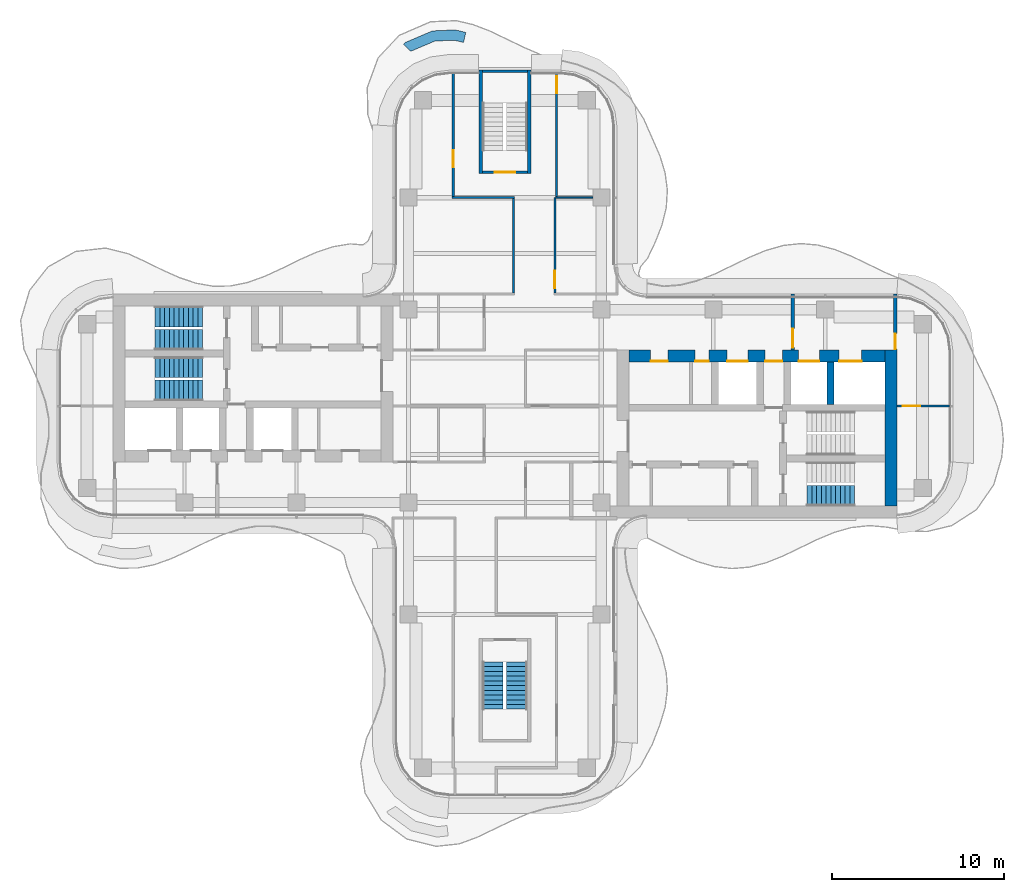
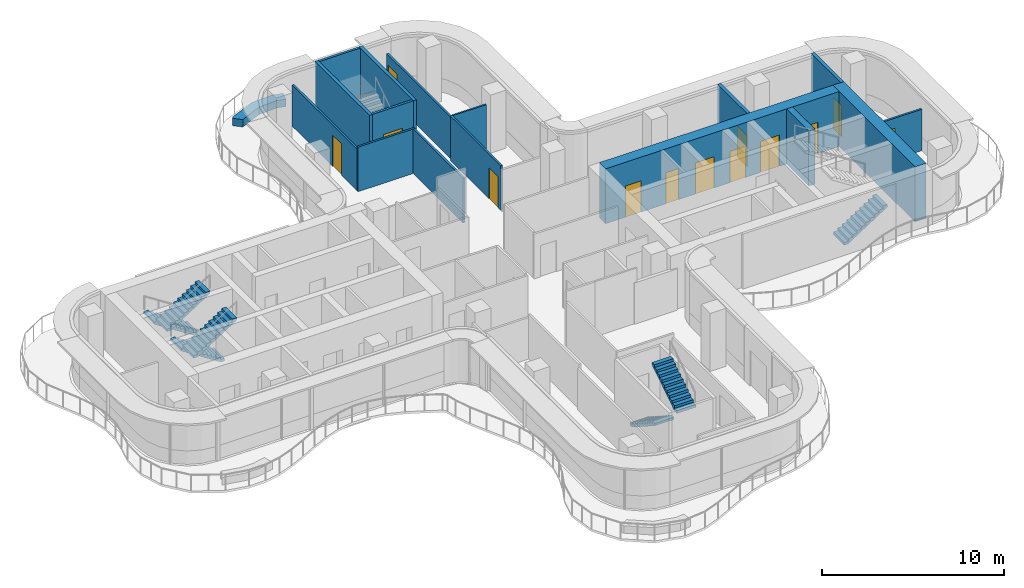
# One storey, part 13 of 16: 17 walls, 13 doors, 7 stair flights, 13 openings, 4 elements without a shape of their own.
"""IFC4 building model written with IfcOpenShell, lengths in metres."""

from ifc_helpers import new_model, si_unit, direction, frame, frame_2d, origin, place, context, subcontext, project, spatial, polyline, rectangle, outline, extrude, source, transform, mapped, material, layer, layer_set, type_object, element, fill, aggregate, save


model = new_model("IFC4")

# Units and contexts
model_context = context("Model", 3, precision=1e-05, world=origin(), true_north=direction((0.0, 1.0)))
body_context = subcontext(model_context, "Body", "Model", "MODEL_VIEW")
ifc_project = project(units=[si_unit("LENGTHUNIT", "METRE"), si_unit("AREAUNIT", "SQUARE_METRE"), si_unit("VOLUMEUNIT", "CUBIC_METRE"), si_unit("PLANEANGLEUNIT", "RADIAN"), si_unit("MASSUNIT", "GRAM", prefix="KILO")], contexts=[model_context])

# Site, building, storey
site_placement = place(None, origin())
site = spatial("IfcSite", under=ifc_project, at=site_placement, CompositionType="ELEMENT")
building_placement = place(site_placement, origin())
building = spatial("IfcBuilding", under=site, at=building_placement, Name="Trellis Farm Tower", CompositionType="ELEMENT")
storey_placement = place(building_placement, frame((0.0, 0.0, 322.300048828125)))
storey = spatial("IfcBuildingStorey", under=building, at=storey_placement, Name="L73", CompositionType="ELEMENT", Elevation=322.300048828125)

# Walls
ifc_material_1 = material(Name="Sandstone faced masonry planter", Category="masonry")
ifc_layer_1 = layer(ifc_material_1, 0.60009765625)
ifc_layer_set_1 = layer_set([ifc_layer_1], Name="PLANTER BED 600")
wall_type_1 = type_object("IfcWallType", Name="PLANTER BED 600", PredefinedType="USERDEFINED", material=ifc_layer_set_1)
placement = place(storey_placement, origin())
element("IfcWall", 1, at=placement, inside=storey, type_object=wall_type_1, Name="PLANTER bed", ObjectType="PLANTER", PredefinedType="USERDEFINED", context=body_context, shape_type="SweptSolid", body=[
    extrude(outline(polyline([(-4.206787109375, 21.7802734375), (-2.897705078125, 21.8388671875), (-2.26806640625, 21.692138671875), (-2.404296875, 21.10791015625), (-2.953369140625, 21.23583984375), (-4.071533203125, 21.185791015625), (-5.43359375, 20.606201171875), (-5.452880859375, 20.585693359375), (-5.889892578125, 20.996826171875), (-5.7841796875, 21.109130859375), (-4.206787109375, 21.7802734375)])), origin(), (0.0, 0.0, 1.0), 0.5),
])
ifc_material_2 = material(Name="Concrete C50/60", Category="concrete")
ifc_layer_2 = layer(ifc_material_2, 0.699951171875)
ifc_layer_set_2 = layer_set([ifc_layer_2], Name="CORE OUTER WALL 700 CONCRETE C50/60")
wall_type_2 = type_object("IfcWallType", Name="CORE OUTER WALL 700 CONCRETE C50/60", PredefinedType="SHEAR", material=ifc_layer_set_2)
shared_shape_1 = source(origin(), body_context, "Body", "SweptSolid", [
    extrude(rectangle(XDim=9.050048828125, YDim=0.699951171875, at=frame_2d((4.52490234375, 0.0))), origin(), (0.0, 0.0, 1.0), 3.699951171875),
])
wall_2_placement = place(storey_placement, frame((22.39990234375, -5.800048828125, 0.0), z_axis=(0.0, 0.0, 1.0), x_axis=(0.0, 1.0, 0.0)))
element("IfcWall", 2, at=wall_2_placement, inside=storey, type_object=wall_type_2, Name="Core wall", PredefinedType="SHEAR", context=body_context, shape_type="MappedRepresentation", body=[
    mapped(shared_shape_1, transform((0.0, 0.0, 0.0))),
])
ifc_layer_3 = layer(ifc_material_2, 0.39990234375)
ifc_layer_set_3 = layer_set([ifc_layer_3], Name="CORE INNER WALL 400 CONCRETE C50/60")
wall_type_3 = type_object("IfcWallType", Name="CORE INNER WALL 400 CONCRETE C50/60", PredefinedType="SHEAR", material=ifc_layer_set_3)
shared_shape_2 = source(origin(), body_context, "Body", "SweptSolid", [
    extrude(rectangle(XDim=2.449951171875, YDim=0.39990234375, at=frame_2d((1.22509765625, 0.0))), origin(), (0.0, 0.0, 1.0), 3.699951171875),
])
wall_3_placement = place(storey_placement, frame((18.89990234375, 0.10009765625, 0.0), z_axis=(0.0, 0.0, 1.0), x_axis=(0.0, 1.0, 0.0)))
element("IfcWall", 3, at=wall_3_placement, inside=storey, type_object=wall_type_3, Name="Core wall", PredefinedType="SHEAR", context=body_context, shape_type="MappedRepresentation", body=[
    mapped(shared_shape_2, transform((0.0, 0.0, 0.0))),
])

# Wall, opening, door
ifc_material_3 = material(Name="Masonry blockwork", Category="masonry")
ifc_layer_4 = layer(ifc_material_3, 0.199951171875)
ifc_layer_set_4 = layer_set([ifc_layer_4], Name="FIRE LOBBY PARTITION 200 BLOCKWORK")
wall_type_4 = type_object("IfcWallType", Name="FIRE LOBBY PARTITION 200 BLOCKWORK", PredefinedType="PARTITIONING", material=ifc_layer_set_4)
shared_shape_3 = source(origin(), body_context, "Body", "SweptSolid", [
    extrude(rectangle(XDim=3.25, YDim=0.199951171875, at=frame_2d((1.625, 0.0))), origin(), (0.0, 0.0, 1.0), 3.699951171875),
])
wall_4_placement = place(storey_placement, frame((16.699951171875, 3.25, 0.0), z_axis=(0.0, 0.0, 1.0), x_axis=(0.0, 1.0, 0.0)))
wall_4 = element("IfcWall", 4, at=wall_4_placement, inside=storey, type_object=wall_type_4, Name="Fire-fighting lobby partition", PredefinedType="PARTITIONING", context=body_context, shape_type="MappedRepresentation", body=[
    mapped(shared_shape_3, transform((0.0, 0.0, 0.0))),
])
shared_shape_4 = source(origin(), body_context, "Body", "SweptSolid", [
    extrude(rectangle(XDim=1.10009765625, YDim=2.10009765625, at=frame_2d((0.550048828125, 1.050048828125))), frame((0.0, 0.110107421875, 0.0), z_axis=(0.0, -1.0, 0.0), x_axis=(1.0, 0.0, 0.0)), (0.0, 0.0, 1.0), 0.22021484375),
])
opening_1_placement = place(wall_4_placement, frame((0.14990234375, 0.0, 0.0)))
opening_1 = element("IfcOpeningElement", 5, at=opening_1_placement, cuts=wall_4, Name="Opening DC7", PredefinedType="OPENING", context=body_context, shape_type="MappedRepresentation", body=[
    mapped(shared_shape_4, transform((0.0, 0.0, 0.0))),
])
ifc_material_4 = material(Name="Steel", Category="steel")
door_type_1 = type_object("IfcDoorType", Name="CORE FIRE DOOR 1100 X 2100", OperationType="NOTDEFINED", PredefinedType="DOOR", material=ifc_material_4)
shared_shape_5 = source(origin(), body_context, "Body", "SweptSolid", [
    extrude(rectangle(XDim=1.10009765625, YDim=2.10009765625, at=frame_2d((0.550048828125, 1.050048828125))), frame((0.0, 0.02490234375, 0.0), z_axis=(0.0, -1.0, 0.0), x_axis=(1.0, 0.0, 0.0)), (0.0, 0.0, 1.0), 0.050048828125),
])
door_1_placement = place(opening_1_placement, origin())
door_1 = element("IfcDoor", 6, at=door_1_placement, inside=storey, type_object=door_type_1, Name="Core door", OperationType="SINGLE_SWING_RIGHT", OverallHeight=2.10009765625, OverallWidth=1.10009765625, PredefinedType="DOOR", context=body_context, shape_type="MappedRepresentation", body=[
    mapped(shared_shape_5, transform((0.0, 0.0, 0.0))),
])
fill(opening_1, door_1)

wall_5_placement = place(storey_placement, frame((22.64990234375, 3.25, 0.0), z_axis=(0.0, 0.0, 1.0), x_axis=(0.0, 1.0, 0.0)))
wall_5 = element("IfcWall", 7, at=wall_5_placement, inside=storey, type_object=wall_type_4, Name="Fire-fighting lobby partition", PredefinedType="PARTITIONING", context=body_context, shape_type="MappedRepresentation", body=[
    mapped(shared_shape_3, transform((0.0, 0.0, 0.0))),
])
shared_shape_6 = source(origin(), body_context, "Body", "SweptSolid", [
    extrude(rectangle(XDim=0.89990234375, YDim=2.10009765625, at=frame_2d((0.449951171875, 1.050048828125))), frame((0.0, 0.110107421875, 0.0), z_axis=(0.0, -1.0, 0.0), x_axis=(1.0, 0.0, 0.0)), (0.0, 0.0, 1.0), 0.22021484375),
])
opening_2_placement = place(wall_5_placement, frame((0.050048828125, 0.0, 0.0)))
opening_2 = element("IfcOpeningElement", 8, at=opening_2_placement, cuts=wall_5, Name="Opening DC8", PredefinedType="OPENING", context=body_context, shape_type="MappedRepresentation", body=[
    mapped(shared_shape_6, transform((0.0, 0.0, 0.0))),
])
door_type_2 = type_object("IfcDoorType", Name="CORE FIRE DOOR 900 X 2100", OperationType="NOTDEFINED", PredefinedType="DOOR", material=ifc_material_4)
shared_shape_7 = source(origin(), body_context, "Body", "SweptSolid", [
    extrude(rectangle(XDim=0.89990234375, YDim=2.10009765625, at=frame_2d((0.449951171875, 1.050048828125))), frame((0.0, 0.02490234375, 0.0), z_axis=(0.0, -1.0, 0.0), x_axis=(1.0, 0.0, 0.0)), (0.0, 0.0, 1.0), 0.050048828125),
])
door_2_placement = place(opening_2_placement, origin())
door_2 = element("IfcDoor", 9, at=door_2_placement, inside=storey, type_object=door_type_2, Name="Core door", OperationType="SINGLE_SWING_RIGHT", OverallHeight=2.10009765625, OverallWidth=0.89990234375, PredefinedType="DOOR", context=body_context, shape_type="MappedRepresentation", body=[
    mapped(shared_shape_7, transform((0.0, 0.0, 0.0))),
])
fill(opening_2, door_2)

# Wall, openings, doors
shared_shape_8 = source(origin(), body_context, "Body", "SweptSolid", [
    extrude(rectangle(XDim=14.85009765625, YDim=0.699951171875, at=frame_2d((7.425048828125, 0.0))), origin(), (0.0, 0.0, 1.0), 3.699951171875),
])
wall_6_placement = place(storey_placement, frame((7.199951171875, 2.89990234375, 0.0), z_axis=(0.0, 0.0, 1.0), x_axis=(1.0, 0.0, 0.0)))
wall_6 = element("IfcWall", 10, at=wall_6_placement, inside=storey, type_object=wall_type_2, Name="Core wall", PredefinedType="SHEAR", context=body_context, shape_type="MappedRepresentation", body=[
    mapped(shared_shape_8, transform((0.0, 0.0, 0.0))),
])
shared_shape_9 = source(origin(), body_context, "Body", "SweptSolid", [
    extrude(rectangle(XDim=1.199951171875, YDim=2.10009765625, at=frame_2d((0.60009765625, 1.050048828125))), frame((0.0, 0.360107421875, 0.0), z_axis=(0.0, -1.0, 0.0), x_axis=(1.0, 0.0, 0.0)), (0.0, 0.0, 1.0), 0.72021484375),
])
opening_3_placement = place(wall_6_placement, frame((5.699951171875, 0.0, 0.0)))
opening_3 = element("IfcOpeningElement", 11, at=opening_3_placement, cuts=wall_6, Name="Opening LD6", PredefinedType="OPENING", context=body_context, shape_type="MappedRepresentation", body=[
    mapped(shared_shape_9, transform((0.0, 0.0, 0.0))),
])
shared_shape_10 = source(origin(), body_context, "Body", "SweptSolid", [
    extrude(rectangle(XDim=1.300048828125, YDim=2.10009765625, at=frame_2d((0.64990234375, 1.050048828125))), frame((0.0, 0.360107421875, 0.0), z_axis=(0.0, -1.0, 0.0), x_axis=(1.0, 0.0, 0.0)), (0.0, 0.0, 1.0), 0.72021484375),
])
opening_4_placement = place(wall_6_placement, frame((12.199951171875, 0.0, 0.0)))
opening_4 = element("IfcOpeningElement", 12, at=opening_4_placement, cuts=wall_6, Name="Opening LD7", PredefinedType="OPENING", context=body_context, shape_type="MappedRepresentation", body=[
    mapped(shared_shape_10, transform((0.0, 0.0, 0.0))),
])
opening_5_placement = place(wall_6_placement, frame((9.85009765625, 0.0, 0.0)))
opening_5 = element("IfcOpeningElement", 13, at=opening_5_placement, cuts=wall_6, Name="Opening LD8", PredefinedType="OPENING", context=body_context, shape_type="MappedRepresentation", body=[
    mapped(shared_shape_9, transform((0.0, 0.0, 0.0))),
])
shared_shape_11 = source(origin(), body_context, "Body", "SweptSolid", [
    extrude(rectangle(XDim=1.0, YDim=2.10009765625, at=frame_2d((0.5, 1.050048828125))), frame((0.0, 0.360107421875, 0.0), z_axis=(0.0, -1.0, 0.0), x_axis=(1.0, 0.0, 0.0)), (0.0, 0.0, 1.0), 0.72021484375),
])
opening_6_placement = place(wall_6_placement, frame((7.89990234375, 0.0, 0.0)))
opening_6 = element("IfcOpeningElement", 14, at=opening_6_placement, cuts=wall_6, Name="Opening DC6", PredefinedType="OPENING", context=body_context, shape_type="MappedRepresentation", body=[
    mapped(shared_shape_11, transform((0.0, 0.0, 0.0))),
])
opening_7_placement = place(wall_6_placement, frame((1.262451171875, 0.0, 0.0)))
opening_7 = element("IfcOpeningElement", 15, at=opening_7_placement, cuts=wall_6, Name="Opening DC14", PredefinedType="OPENING", context=body_context, shape_type="MappedRepresentation", body=[
    mapped(shared_shape_11, transform((0.0, 0.0, 0.0))),
])
shared_shape_12 = source(origin(), body_context, "Body", "SweptSolid", [
    extrude(rectangle(XDim=0.800048828125, YDim=2.10009765625, at=frame_2d((0.39990234375, 1.050048828125))), frame((0.0, 0.360107421875, 0.0), z_axis=(0.0, -1.0, 0.0), x_axis=(1.0, 0.0, 0.0)), (0.0, 0.0, 1.0), 0.72021484375),
])
opening_8_placement = place(wall_6_placement, frame((3.83740234375, 0.0, 0.0)))
opening_8 = element("IfcOpeningElement", 16, at=opening_8_placement, cuts=wall_6, Name="Opening DC15", PredefinedType="OPENING", context=body_context, shape_type="MappedRepresentation", body=[
    mapped(shared_shape_12, transform((0.0, 0.0, 0.0))),
])
door_type_3 = type_object("IfcDoorType", Name="CORE FIRE DOOR 1000 X 2100", OperationType="NOTDEFINED", PredefinedType="DOOR", material=ifc_material_4)
shared_shape_13 = source(origin(), body_context, "Body", "SweptSolid", [
    extrude(rectangle(XDim=1.0, YDim=2.10009765625, at=frame_2d((0.5, 1.050048828125))), frame((0.0, -0.27490234375, 0.0), z_axis=(0.0, -1.0, 0.0), x_axis=(1.0, 0.0, 0.0)), (0.0, 0.0, 1.0), 0.050048828125),
])
door_3_placement = place(opening_6_placement, origin())
door_3 = element("IfcDoor", 17, at=door_3_placement, inside=storey, type_object=door_type_3, Name="Core door", OperationType="SINGLE_SWING_LEFT", OverallHeight=2.10009765625, OverallWidth=1.0, PredefinedType="DOOR", context=body_context, shape_type="MappedRepresentation", body=[
    mapped(shared_shape_13, transform((0.0, 0.0, 0.0))),
])
fill(opening_6, door_3)
door_4_placement = place(opening_7_placement, origin())
door_4 = element("IfcDoor", 18, at=door_4_placement, inside=storey, type_object=door_type_3, Name="Core door", OperationType="SINGLE_SWING_RIGHT", OverallHeight=2.10009765625, OverallWidth=1.0, PredefinedType="DOOR", context=body_context, shape_type="MappedRepresentation", body=[
    mapped(shared_shape_13, transform((0.0, 0.0, 0.0))),
])
fill(opening_7, door_4)
ifc_material_5 = material(Name="Stainless steel", Category="steel")
door_type_4 = type_object("IfcDoorType", Name="LIFT LANDING DOOR 1300 X 2100", OperationType="DOUBLE_DOOR_SLIDING", PredefinedType="DOOR", material=ifc_material_5)
shared_shape_14 = source(origin(), body_context, "Body", "SweptSolid", [
    extrude(rectangle(XDim=1.300048828125, YDim=2.10009765625, at=frame_2d((0.64990234375, 1.050048828125))), frame((0.0, -0.27490234375, 0.0), z_axis=(0.0, -1.0, 0.0), x_axis=(1.0, 0.0, 0.0)), (0.0, 0.0, 1.0), 0.050048828125),
])
door_5_placement = place(opening_4_placement, origin())
door_5 = element("IfcDoor", 19, at=door_5_placement, inside=storey, type_object=door_type_4, Name="Lift landing door", OperationType="DOUBLE_DOOR_SLIDING", OverallHeight=2.10009765625, OverallWidth=1.300048828125, PredefinedType="DOOR", context=body_context, shape_type="MappedRepresentation", body=[
    mapped(shared_shape_14, transform((0.0, 0.0, 0.0))),
])
fill(opening_4, door_5)
door_type_5 = type_object("IfcDoorType", Name="LIFT LANDING DOOR 1200 X 2100", OperationType="DOUBLE_DOOR_SLIDING", PredefinedType="DOOR", material=ifc_material_5)
shared_shape_15 = source(origin(), body_context, "Body", "SweptSolid", [
    extrude(rectangle(XDim=1.199951171875, YDim=2.10009765625, at=frame_2d((0.60009765625, 1.050048828125))), frame((0.0, -0.27490234375, 0.0), z_axis=(0.0, -1.0, 0.0), x_axis=(1.0, 0.0, 0.0)), (0.0, 0.0, 1.0), 0.050048828125),
])
door_6_placement = place(opening_3_placement, origin())
door_6 = element("IfcDoor", 20, at=door_6_placement, inside=storey, type_object=door_type_5, Name="Lift landing door", OperationType="DOUBLE_DOOR_SLIDING", OverallHeight=2.10009765625, OverallWidth=1.199951171875, PredefinedType="DOOR", context=body_context, shape_type="MappedRepresentation", body=[
    mapped(shared_shape_15, transform((0.0, 0.0, 0.0))),
])
fill(opening_3, door_6)
door_7_placement = place(opening_5_placement, origin())
door_7 = element("IfcDoor", 21, at=door_7_placement, inside=storey, type_object=door_type_5, Name="Lift landing door", OperationType="DOUBLE_DOOR_SLIDING", OverallHeight=2.10009765625, OverallWidth=1.199951171875, PredefinedType="DOOR", context=body_context, shape_type="MappedRepresentation", body=[
    mapped(shared_shape_15, transform((0.0, 0.0, 0.0))),
])
fill(opening_5, door_7)
door_type_6 = type_object("IfcDoorType", Name="CORE FIRE DOOR 800 X 2100", OperationType="NOTDEFINED", PredefinedType="DOOR", material=ifc_material_4)
shared_shape_16 = source(origin(), body_context, "Body", "SweptSolid", [
    extrude(rectangle(XDim=0.800048828125, YDim=2.10009765625, at=frame_2d((0.39990234375, 1.050048828125))), frame((0.0, -0.27490234375, 0.0), z_axis=(0.0, -1.0, 0.0), x_axis=(1.0, 0.0, 0.0)), (0.0, 0.0, 1.0), 0.050048828125),
])
door_8_placement = place(opening_8_placement, origin())
door_8 = element("IfcDoor", 22, at=door_8_placement, inside=storey, type_object=door_type_6, Name="Core door", OperationType="SINGLE_SWING_LEFT", OverallHeight=2.10009765625, OverallWidth=0.800048828125, PredefinedType="DOOR", context=body_context, shape_type="MappedRepresentation", body=[
    mapped(shared_shape_16, transform((0.0, 0.0, 0.0))),
])
fill(opening_8, door_8)

# Walls
ifc_layer_5 = layer(ifc_material_2, 0.199951171875)
ifc_layer_set_5 = layer_set([ifc_layer_5], Name="CORE STAIR ENCLOSURE WALL 200 CONCRETE C50/60")
wall_type_5 = type_object("IfcWallType", Name="CORE STAIR ENCLOSURE WALL 200 CONCRETE C50/60", PredefinedType="SHEAR", material=ifc_layer_set_5)
shared_shape_17 = source(origin(), body_context, "Body", "SweptSolid", [
    extrude(rectangle(XDim=6.0, YDim=0.199951171875, at=frame_2d((3.0, 0.0))), origin(), (0.0, 0.0, 1.0), 3.699951171875),
])
for number, where, z_axis, x_axis, name in (
    (23, (-1.39990234375, 13.5, 0.0), (0.0, 0.0, 1.0), (0.0, 1.0, 0.0), "Stair enclosure wall"),
    (24, (1.39990234375, 13.5, 0.0), (0.0, 0.0, 1.0), (0.0, 1.0, 0.0), "Stair enclosure wall"),
):
    element("IfcWall", number, at=place(storey_placement, frame(where, z_axis=z_axis, x_axis=x_axis)), inside=storey, type_object=wall_type_5, Name=name, PredefinedType="SHEAR", context=body_context, shape_type="MappedRepresentation", body=[
        mapped(shared_shape_17, transform((0.0, 0.0, 0.0))),
    ])

# Wall, opening, door
ifc_layer_6 = layer(ifc_material_2, 0.14990234375)
ifc_layer_set_6 = layer_set([ifc_layer_6], Name="CORE STAIR ENCLOSURE WALL 150 CONCRETE C50/60")
wall_type_6 = type_object("IfcWallType", Name="CORE STAIR ENCLOSURE WALL 150 CONCRETE C50/60", PredefinedType="SHEAR", material=ifc_layer_set_6)
shared_shape_18 = source(origin(), body_context, "Body", "SweptSolid", [
    extrude(rectangle(XDim=2.60009765625, YDim=0.14990234375, at=frame_2d((1.300048828125, 0.0))), origin(), (0.0, 0.0, 1.0), 3.699951171875),
])
wall_7_placement = place(storey_placement, frame((-1.300048828125, 13.574951171875, 0.0), z_axis=(0.0, 0.0, 1.0), x_axis=(1.0, 0.0, 0.0)))
wall_7 = element("IfcWall", 25, at=wall_7_placement, inside=storey, type_object=wall_type_6, Name="Stair enclosure wall", PredefinedType="SHEAR", context=body_context, shape_type="MappedRepresentation", body=[
    mapped(shared_shape_18, transform((0.0, 0.0, 0.0))),
])
shared_shape_19 = source(origin(), body_context, "Body", "SweptSolid", [
    extrude(rectangle(XDim=1.199951171875, YDim=2.10009765625, at=frame_2d((0.60009765625, 1.050048828125))), frame((0.0, 0.0849609375, 0.0), z_axis=(0.0, -1.0, 0.0), x_axis=(1.0, 0.0, 0.0)), (0.0, 0.0, 1.0), 0.169921875),
])
opening_9_placement = place(wall_7_placement, frame((0.699951171875, 0.0, 0.0)))
opening_9 = element("IfcOpeningElement", 26, at=opening_9_placement, cuts=wall_7, Name="Opening DC173", PredefinedType="OPENING", context=body_context, shape_type="MappedRepresentation", body=[
    mapped(shared_shape_19, transform((0.0, 0.0, 0.0))),
])
door_type_7 = type_object("IfcDoorType", Name="CORE FIRE DOOR 1200 X 2100", OperationType="NOTDEFINED", PredefinedType="DOOR", material=ifc_material_4)
shared_shape_20 = source(origin(), body_context, "Body", "SweptSolid", [
    extrude(rectangle(XDim=1.199951171875, YDim=2.10009765625, at=frame_2d((0.60009765625, 1.050048828125))), frame((0.0, 0.02490234375, 0.0), z_axis=(0.0, -1.0, 0.0), x_axis=(1.0, 0.0, 0.0)), (0.0, 0.0, 1.0), 0.050048828125),
])
door_9_placement = place(opening_9_placement, origin())
door_9 = element("IfcDoor", 27, at=door_9_placement, inside=storey, type_object=door_type_7, Name="Core door", OperationType="SINGLE_SWING_LEFT", OverallHeight=2.10009765625, OverallWidth=1.199951171875, PredefinedType="DOOR", context=body_context, shape_type="MappedRepresentation", body=[
    mapped(shared_shape_20, transform((0.0, 0.0, 0.0))),
])
fill(opening_9, door_9)

# Walls
wall_8_placement = place(storey_placement, frame((-1.300048828125, 19.425048828125, 0.0), z_axis=(0.0, 0.0, 1.0), x_axis=(1.0, 0.0, 0.0)))
element("IfcWall", 28, at=wall_8_placement, inside=storey, type_object=wall_type_6, Name="Stair enclosure wall", PredefinedType="SHEAR", context=body_context, shape_type="MappedRepresentation", body=[
    mapped(shared_shape_18, transform((0.0, 0.0, 0.0))),
])
ifc_material_6 = material(Name="Plasterboard on steel studs, mineral wool", Category="steel")
ifc_layer_7 = layer(ifc_material_6, 0.125)
ifc_layer_set_7 = layer_set([ifc_layer_7], Name="PARTITION 125 STUD EI 60")
wall_type_7 = type_object("IfcWallType", Name="PARTITION 125 STUD EI 60", PredefinedType="PARTITIONING", material=ifc_layer_set_7)
shared_shape_21 = source(origin(), body_context, "Body", "SweptSolid", [
    extrude(rectangle(XDim=5.47509765625, YDim=0.125, at=frame_2d((2.737548828125, 0.0))), origin(), (0.0, 0.0, 1.0), 2.99658203125),
])
wall_9_placement = place(storey_placement, frame((0.5, 12.03759765625, 0.0), z_axis=(0.0, 0.0, 1.0), x_axis=(0.0, -1.0, 0.0)))
element("IfcWall", 29, at=wall_9_placement, inside=storey, type_object=wall_type_7, Name="Partition PW1", PredefinedType="PARTITIONING", context=body_context, shape_type="MappedRepresentation", body=[
    mapped(shared_shape_21, transform((0.0, 0.0, 0.0))),
])

# Wall, opening, door
shared_shape_22 = source(origin(), body_context, "Body", "SweptSolid", [
    extrude(rectangle(XDim=5.53759765625, YDim=0.125, at=frame_2d((2.768798828125, 0.0))), origin(), (0.0, 0.0, 1.0), 2.99658203125),
])
wall_10_placement = place(storey_placement, frame((2.89990234375, 12.10009765625, 0.0), z_axis=(0.0, 0.0, 1.0), x_axis=(0.0, -1.0, 0.0)))
wall_10 = element("IfcWall", 30, at=wall_10_placement, inside=storey, type_object=wall_type_7, Name="Partition PW1", PredefinedType="PARTITIONING", context=body_context, shape_type="MappedRepresentation", body=[
    mapped(shared_shape_22, transform((0.0, 0.0, 0.0))),
])
shared_shape_23 = source(origin(), body_context, "Body", "SweptSolid", [
    extrude(rectangle(XDim=1.0, YDim=2.10009765625, at=frame_2d((0.5, 1.050048828125))), frame((0.0, 0.072509765625, 0.0), z_axis=(0.0, -1.0, 0.0), x_axis=(1.0, 0.0, 0.0)), (0.0, 0.0, 1.0), 0.14501953125),
])
opening_10_placement = place(wall_10_placement, frame((4.25, 0.0, 0.0)))
opening_10 = element("IfcOpeningElement", 31, at=opening_10_placement, cuts=wall_10, Name="Opening D109", PredefinedType="OPENING", context=body_context, shape_type="MappedRepresentation", body=[
    mapped(shared_shape_23, transform((0.0, 0.0, 0.0))),
])
ifc_material_7 = material(Name="Fire-rated timber door leaf in a hollow metal frame", Category="wood")
door_type_8 = type_object("IfcDoorType", Name="DOOR 1000x2100 FD30S", OperationType="NOTDEFINED", PredefinedType="DOOR", material=ifc_material_7)
shared_shape_24 = source(origin(), body_context, "Body", "SweptSolid", [
    extrude(rectangle(XDim=1.0, YDim=2.10009765625, at=frame_2d((0.5, 1.050048828125))), frame((0.0, 0.02490234375, 0.0), z_axis=(0.0, -1.0, 0.0), x_axis=(1.0, 0.0, 0.0)), (0.0, 0.0, 1.0), 0.050048828125),
])
door_10_placement = place(opening_10_placement, origin())
door_10 = element("IfcDoor", 32, at=door_10_placement, inside=storey, type_object=door_type_8, Name="Door D109", OperationType="SINGLE_SWING_RIGHT", OverallHeight=2.10009765625, OverallWidth=1.0, PredefinedType="DOOR", context=body_context, shape_type="MappedRepresentation", body=[
    mapped(shared_shape_24, transform((0.0, 0.0, 0.0))),
])
fill(opening_10, door_10)

# Wall
shared_shape_25 = source(origin(), body_context, "Body", "SweptSolid", [
    extrude(rectangle(XDim=3.625, YDim=0.125, at=frame_2d((1.8125, 0.0))), origin(), (0.0, 0.0, 1.0), 2.99658203125),
])
wall_11_placement = place(storey_placement, frame((0.5625, 12.10009765625, 0.0), z_axis=(0.0, 0.0, 1.0), x_axis=(-1.0, 0.0, 0.0)))
element("IfcWall", 33, at=wall_11_placement, inside=storey, type_object=wall_type_7, Name="Partition PW1", PredefinedType="PARTITIONING", context=body_context, shape_type="MappedRepresentation", body=[
    mapped(shared_shape_25, transform((0.0, 0.0, 0.0))),
])

# Wall, opening, door
shared_shape_26 = source(origin(), body_context, "Body", "SweptSolid", [
    extrude(rectangle(XDim=3.050048828125, YDim=0.125, at=frame_2d((1.52490234375, 0.0))), origin(), (0.0, 0.0, 1.0), 2.780029296875),
])
wall_12_placement = place(storey_placement, frame((25.800048828125, 0.0, 0.0), z_axis=(0.0, 0.0, 1.0), x_axis=(-1.0, 0.0, 0.0)))
wall_12 = element("IfcWall", 34, at=wall_12_placement, inside=storey, type_object=wall_type_7, Name="Partition PW1", PredefinedType="PARTITIONING", context=body_context, shape_type="MappedRepresentation", body=[
    mapped(shared_shape_26, transform((0.0, 0.0, 0.0))),
])
opening_11_placement = place(wall_12_placement, frame((1.699951171875, 0.0, 0.0)))
opening_11 = element("IfcOpeningElement", 35, at=opening_11_placement, cuts=wall_12, Name="Opening D106", PredefinedType="OPENING", context=body_context, shape_type="MappedRepresentation", body=[
    mapped(shared_shape_23, transform((0.0, 0.0, 0.0))),
])
door_11_placement = place(opening_11_placement, origin())
door_11 = element("IfcDoor", 36, at=door_11_placement, inside=storey, type_object=door_type_8, Name="Door D106", OperationType="SINGLE_SWING_RIGHT", OverallHeight=2.10009765625, OverallWidth=1.0, PredefinedType="DOOR", context=body_context, shape_type="MappedRepresentation", body=[
    mapped(shared_shape_24, transform((0.0, 0.0, 0.0))),
])
fill(opening_11, door_11)

# Wall
ifc_material_8 = material(Name="Plasterboard on steel studs", Category="steel")
ifc_layer_8 = layer(ifc_material_8, 0.10009765625)
ifc_layer_set_8 = layer_set([ifc_layer_8], Name="PARTITION 100 STUD EI 30")
wall_type_8 = type_object("IfcWallType", Name="PARTITION 100 STUD EI 30", PredefinedType="PARTITIONING", material=ifc_layer_set_8)
shared_shape_27 = source(origin(), body_context, "Body", "SweptSolid", [
    extrude(rectangle(XDim=2.16259765625, YDim=0.10009765625, at=frame_2d((1.081298828125, 0.0))), origin(), (0.0, 0.0, 1.0), 2.99658203125),
])
wall_13_placement = place(storey_placement, frame((2.9375, 12.10009765625, 0.0), z_axis=(0.0, 0.0, 1.0), x_axis=(1.0, 0.0, 0.0)))
element("IfcWall", 37, at=wall_13_placement, inside=storey, type_object=wall_type_8, Name="Partition PW2", PredefinedType="PARTITIONING", context=body_context, shape_type="MappedRepresentation", body=[
    mapped(shared_shape_27, transform((0.0, 0.0, 0.0))),
])

# Wall, opening, door
shared_shape_28 = source(origin(), body_context, "Body", "SweptSolid", [
    extrude(rectangle(XDim=7.150146484375, YDim=0.125, at=frame_2d((3.5751953125, 0.0))), origin(), (0.0, 0.0, 1.0), 2.780029296875),
])
wall_14_placement = place(storey_placement, frame((3.0, 19.300048828125, 0.0), z_axis=(0.0, 0.0, 1.0), x_axis=(0.0, -1.0, 0.0)))
wall_14 = element("IfcWall", 38, at=wall_14_placement, inside=storey, type_object=wall_type_7, Name="Partition PW1", PredefinedType="PARTITIONING", context=body_context, shape_type="MappedRepresentation", body=[
    mapped(shared_shape_28, transform((0.0, 0.0, 0.0))),
])
opening_12_placement = place(wall_14_placement, frame((0.14990234375, 0.0, 0.0)))
opening_12 = element("IfcOpeningElement", 39, at=opening_12_placement, cuts=wall_14, Name="Opening D111", PredefinedType="OPENING", context=body_context, shape_type="MappedRepresentation", body=[
    mapped(shared_shape_23, transform((0.0, 0.0, 0.0))),
])
door_12_placement = place(opening_12_placement, origin())
door_12 = element("IfcDoor", 40, at=door_12_placement, inside=storey, type_object=door_type_8, Name="Door D111", OperationType="SINGLE_SWING_LEFT", OverallHeight=2.10009765625, OverallWidth=1.0, PredefinedType="DOOR", context=body_context, shape_type="MappedRepresentation", body=[
    mapped(shared_shape_24, transform((0.0, 0.0, 0.0))),
])
fill(opening_12, door_12)

shared_shape_29 = source(origin(), body_context, "Body", "SweptSolid", [
    extrude(rectangle(XDim=7.137451171875, YDim=0.125, at=frame_2d((3.56884765625, 0.0))), origin(), (0.0, 0.0, 1.0), 2.780029296875),
])
wall_15_placement = place(storey_placement, frame((-3.0, 12.16259765625, 0.0), z_axis=(0.0, 0.0, 1.0), x_axis=(0.0, 1.0, 0.0)))
wall_15 = element("IfcWall", 41, at=wall_15_placement, inside=storey, type_object=wall_type_7, Name="Partition PW1", PredefinedType="PARTITIONING", context=body_context, shape_type="MappedRepresentation", body=[
    mapped(shared_shape_29, transform((0.0, 0.0, 0.0))),
])
opening_13_placement = place(wall_15_placement, frame((1.6875, 0.0, 0.0)))
opening_13 = element("IfcOpeningElement", 42, at=opening_13_placement, cuts=wall_15, Name="Opening D110", PredefinedType="OPENING", context=body_context, shape_type="MappedRepresentation", body=[
    mapped(shared_shape_23, transform((0.0, 0.0, 0.0))),
])
door_13_placement = place(opening_13_placement, origin())
door_13 = element("IfcDoor", 43, at=door_13_placement, inside=storey, type_object=door_type_8, Name="Door D110", OperationType="SINGLE_SWING_LEFT", OverallHeight=2.10009765625, OverallWidth=1.0, PredefinedType="DOOR", context=body_context, shape_type="MappedRepresentation", body=[
    mapped(shared_shape_24, transform((0.0, 0.0, 0.0))),
])
fill(opening_13, door_13)

# Stair, stair flights
stair_type = type_object("IfcStairType", Name="CORE EXIT STAIR 22 RISERS 177 MM", PredefinedType="HALF_TURN_STAIR", material=ifc_material_2)
stair_1 = element("IfcStair", 44, at=placement, inside=storey, type_object=stair_type, Name="Exit stair S", PredefinedType="HALF_TURN_STAIR")
stair_flight_type = type_object("IfcStairFlightType", Name="STAIR FLIGHT 11 RISERS 177 MM", PredefinedType="STRAIGHT", material=ifc_material_2)
shared_shape_30 = source(origin(), body_context, "Body", "SweptSolid", [
    extrude(outline(polyline([(0.0, 0.0), (0.0, 0.17724609375), (0.27490234375, 0.17724609375), (0.27490234375, 0.3544921875), (0.550048828125, 0.3544921875), (0.550048828125, 0.53173828125), (0.824951171875, 0.53173828125), (0.824951171875, 0.708984375), (1.10009765625, 0.708984375), (1.10009765625, 0.886474609375), (1.375, 0.886474609375), (1.375, 1.063720703125), (1.64990234375, 1.063720703125), (1.64990234375, 1.240966796875), (1.925048828125, 1.240966796875), (1.925048828125, 1.418212890625), (2.199951171875, 1.418212890625), (2.199951171875, 1.595458984375), (2.47509765625, 1.595458984375), (2.47509765625, 1.772705078125), (2.75, 1.772705078125), (2.75, 1.949951171875), (2.75, 1.6181640625), (0.23974609375, 0.0), (0.0, 0.0)])), frame((0.0, 0.60009765625, 0.0), z_axis=(0.0, -1.0, 0.0), x_axis=(1.0, 0.0, 0.0)), (0.0, 0.0, 1.0), 1.199951171875),
])
stair_flight_1_placement = place(storey_placement, frame((-0.699951171875, -14.85009765625, 0.0), z_axis=(0.0, 0.0, 1.0), x_axis=(0.0, -1.0, 0.0)))
stair_flight_1 = element("IfcStairFlight", 45, at=stair_flight_1_placement, type_object=stair_flight_type, Name="STS flight 1", NumberOfRisers=11, NumberOfTreads=10, PredefinedType="STRAIGHT", RiserHeight=0.177272727, TreadLength=0.275, context=body_context, shape_type="MappedRepresentation", body=[
    mapped(shared_shape_30, transform((0.0, 0.0, 0.0))),
])
stair_flight_2_placement = place(storey_placement, frame((0.699951171875, -17.60009765625, 1.949951171875), z_axis=(0.0, 0.0, 1.0), x_axis=(0.0, 1.0, 0.0)))
stair_flight_2 = element("IfcStairFlight", 46, at=stair_flight_2_placement, type_object=stair_flight_type, Name="STS flight 2", NumberOfRisers=11, NumberOfTreads=10, PredefinedType="STRAIGHT", RiserHeight=0.177272727, TreadLength=0.275, context=body_context, shape_type="MappedRepresentation", body=[
    mapped(shared_shape_30, transform((0.0, 0.0, 0.0))),
])
aggregate(stair_1, [stair_flight_1, stair_flight_2])

# Stair, stair flight
stair_2 = element("IfcStair", 47, at=placement, inside=storey, type_object=stair_type, Name="Exit stair E1", PredefinedType="HALF_TURN_STAIR")
stair_flight_3_placement = place(storey_placement, frame((17.550048828125, -5.199951171875, 0.0), z_axis=(0.0, 0.0, 1.0), x_axis=(1.0, 0.0, 0.0)))
stair_flight_3 = element("IfcStairFlight", 48, at=stair_flight_3_placement, type_object=stair_flight_type, Name="STE1 flight 1", NumberOfRisers=11, NumberOfTreads=10, PredefinedType="STRAIGHT", RiserHeight=0.177272727, TreadLength=0.275, context=body_context, shape_type="MappedRepresentation", body=[
    mapped(shared_shape_30, transform((0.0, 0.0, 0.0))),
])
aggregate(stair_2, [stair_flight_3])

# Stair, stair flights
stair_3 = element("IfcStair", 49, at=placement, inside=storey, type_object=stair_type, Name="Exit stair W1", PredefinedType="HALF_TURN_STAIR")
stair_flight_4_placement = place(storey_placement, frame((-17.550048828125, 5.199951171875, 0.0), z_axis=(0.0, 0.0, 1.0), x_axis=(-1.0, 0.0, 0.0)))
stair_flight_4 = element("IfcStairFlight", 50, at=stair_flight_4_placement, type_object=stair_flight_type, Name="STW1 flight 1", NumberOfRisers=11, NumberOfTreads=10, PredefinedType="STRAIGHT", RiserHeight=0.177272727, TreadLength=0.275, context=body_context, shape_type="MappedRepresentation", body=[
    mapped(shared_shape_30, transform((0.0, 0.0, 0.0))),
])
stair_flight_5_placement = place(storey_placement, frame((-20.300048828125, 3.85009765625, 1.949951171875), z_axis=(0.0, 0.0, 1.0), x_axis=(1.0, 0.0, 0.0)))
stair_flight_5 = element("IfcStairFlight", 51, at=stair_flight_5_placement, type_object=stair_flight_type, Name="STW1 flight 2", NumberOfRisers=11, NumberOfTreads=10, PredefinedType="STRAIGHT", RiserHeight=0.177272727, TreadLength=0.275, context=body_context, shape_type="MappedRepresentation", body=[
    mapped(shared_shape_30, transform((0.0, 0.0, 0.0))),
])
aggregate(stair_3, [stair_flight_4, stair_flight_5])

stair_4 = element("IfcStair", 52, at=placement, inside=storey, type_object=stair_type, Name="Exit stair W2", PredefinedType="HALF_TURN_STAIR")
stair_flight_6_placement = place(storey_placement, frame((-17.550048828125, 2.25, 0.0), z_axis=(0.0, 0.0, 1.0), x_axis=(-1.0, 0.0, 0.0)))
stair_flight_6 = element("IfcStairFlight", 53, at=stair_flight_6_placement, type_object=stair_flight_type, Name="STW2 flight 1", NumberOfRisers=11, NumberOfTreads=10, PredefinedType="STRAIGHT", RiserHeight=0.177272727, TreadLength=0.275, context=body_context, shape_type="MappedRepresentation", body=[
    mapped(shared_shape_30, transform((0.0, 0.0, 0.0))),
])
stair_flight_7_placement = place(storey_placement, frame((-20.300048828125, 0.89990234375, 1.949951171875), z_axis=(0.0, 0.0, 1.0), x_axis=(1.0, 0.0, 0.0)))
stair_flight_7 = element("IfcStairFlight", 54, at=stair_flight_7_placement, type_object=stair_flight_type, Name="STW2 flight 2", NumberOfRisers=11, NumberOfTreads=10, PredefinedType="STRAIGHT", RiserHeight=0.177272727, TreadLength=0.275, context=body_context, shape_type="MappedRepresentation", body=[
    mapped(shared_shape_30, transform((0.0, 0.0, 0.0))),
])
aggregate(stair_4, [stair_flight_6, stair_flight_7])

save(model, "model.ifc")
